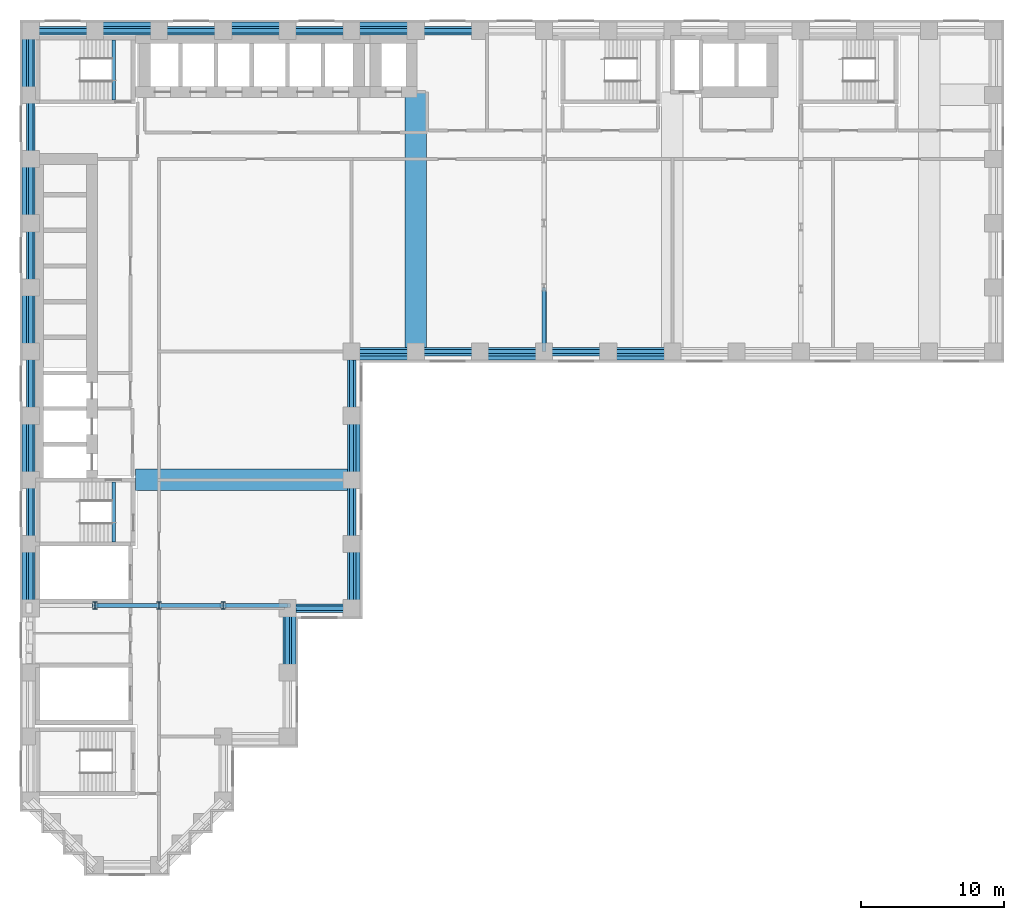
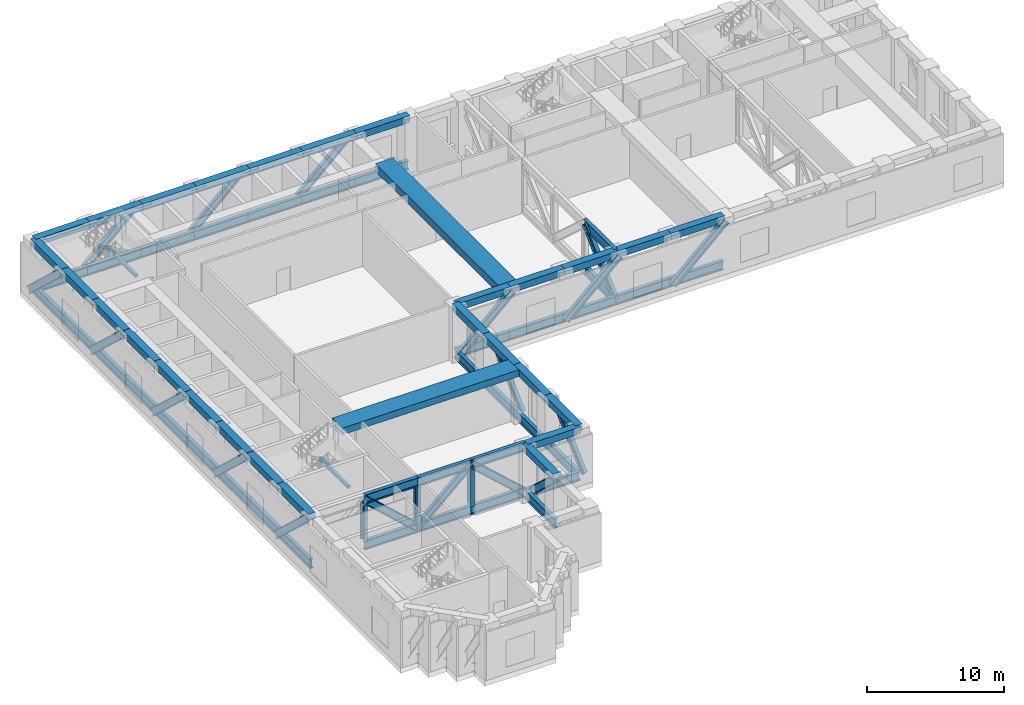
# One storey, part 2 of 13: 56 members, 31 beams.
"""IFC4 building model written with IfcOpenShell, lengths in metres."""

from ifc_helpers import new_model, si_unit, direction, frame, origin, origin_2d, place, context, subcontext, project, spatial, rectangle, i_section, extrude, material, material_profile, profile_set, type_object, element, save


model = new_model("IFC4")

# Units and contexts
model_context = context("Model", 3, precision=1e-05, world=origin(), true_north=direction((0.0, 1.0)))
body_context = subcontext(model_context, "Body", "Model", "MODEL_VIEW")
ifc_project = project(units=[si_unit("LENGTHUNIT", "METRE"), si_unit("AREAUNIT", "SQUARE_METRE"), si_unit("VOLUMEUNIT", "CUBIC_METRE"), si_unit("PLANEANGLEUNIT", "RADIAN"), si_unit("MASSUNIT", "GRAM", prefix="KILO")], contexts=[model_context])

# Site, building, storey
site_placement = place(None, origin())
site = spatial("IfcSite", under=ifc_project, at=site_placement, CompositionType="ELEMENT")
building_placement = place(site_placement, origin())
building = spatial("IfcBuilding", under=site, at=building_placement, Name="Firuza Court", CompositionType="ELEMENT")
storey_placement = place(building_placement, frame((0.0, 0.0, 108.199951171875)))
storey = spatial("IfcBuildingStorey", under=building, at=storey_placement, Name="L27", CompositionType="ELEMENT", Elevation=108.199951171875)

# Beams
ifc_material_1 = material(Name="Concrete C40/50", Category="concrete")
ifc_material_profile_1 = material_profile(ifc_material_1, rectangle(XDim=1.5, YDim=0.60009765625, at=origin_2d()), Name="RC 1500x600")
ifc_profile_set_1 = profile_set([ifc_material_profile_1], Name="Concrete C40/50")
beam_type_1 = type_object("IfcBeamType", Name="Band beam RC 1500x600 C40/50", PredefinedType="BEAM", material=ifc_profile_set_1)
beam_1_placement = place(storey_placement, frame((22.5, 27.0, 4.60009765625), z_axis=(-1.0, 0.0, 0.0), x_axis=(0.0, -1.0, 0.0)))
element("IfcBeam", 1, at=beam_1_placement, inside=storey, type_object=beam_type_1, Name="Band beam FB3 level L28", PredefinedType="BEAM", context=body_context, shape_type="SweptSolid", body=[
    extrude(rectangle(XDim=1.5, YDim=0.60009765625, at=origin_2d()), origin(), (0.0, 0.0, 1.0), 15.14990234375),
])
ifc_material_2 = material(Name="Concrete C40/50", Category="concrete")
ifc_material_profile_2 = material_profile(ifc_material_2, rectangle(XDim=1.5, YDim=0.699951171875, at=origin_2d()), Name="RC 1500x700")
ifc_profile_set_2 = profile_set([ifc_material_profile_2], Name="Concrete C40/50")
beam_type_2 = type_object("IfcBeamType", Name="Band beam RC 1500x700 C40/50", PredefinedType="BEAM", material=ifc_profile_set_2)
beam_2_placement = place(storey_placement, frame((27.0, 36.0, 4.550048828125), z_axis=(0.0, 1.0, 0.0), x_axis=(-1.0, 0.0, 0.0)))
element("IfcBeam", 2, at=beam_2_placement, inside=storey, type_object=beam_type_2, Name="Band beam FB1 level L28", PredefinedType="BEAM", context=body_context, shape_type="SweptSolid", body=[
    extrude(rectangle(XDim=1.5, YDim=0.699951171875, at=origin_2d()), origin(), (0.0, 0.0, 1.0), 18.199951171875),
])

# Members
ifc_material_3 = material(Name="Steel S460M", Category="steel")
ifc_material_profile_3 = material_profile(ifc_material_3, i_section(OverallWidth=0.302978515625, OverallDepth=0.81396484375, WebThickness=0.02099609375, FlangeThickness=0.0400390625, FilletRadius=0.030029296875, at=origin_2d()), Name="HE 800 M")
ifc_profile_set_3 = profile_set([ifc_material_profile_3], Name="Steel S460M")
member_type_1 = type_object("IfcMemberType", Name="Belt truss chord HE 800 M S460M", PredefinedType="CHORD", material=ifc_profile_set_3)
for number, where, z_axis, x_axis, name in (
    (3, (18.0, 13.5, 0.406982421875), (0.0, 1.0, 0.0), (-1.0, 0.0, 0.0), "Belt truss chord BC1 L27"),
    (4, (18.0, 18.0, 0.406982421875), (1.0, 0.0, 0.0), (0.0, 1.0, 0.0), "Belt truss chord BC1 L27"),
    (5, (22.5, 18.0, 0.406982421875), (0.0, 1.0, 0.0), (-1.0, 0.0, 0.0), "Belt truss chord BC1 L27"),
    (6, (22.5, 22.5, 0.406982421875), (0.0, 1.0, 0.0), (-1.0, 0.0, 0.0), "Belt truss chord BC1 L27"),
    (7, (22.5, 27.0, 0.406982421875), (0.0, 1.0, 0.0), (-1.0, 0.0, 0.0), "Belt truss chord BC1 L27"),
    (8, (22.5, 31.5, 0.406982421875), (0.0, 1.0, 0.0), (-1.0, 0.0, 0.0), "Belt truss chord BC1 L27"),
    (9, (22.5, 36.0, 0.406982421875), (1.0, 0.0, 0.0), (0.0, 1.0, 0.0), "Belt truss chord BC1 L27"),
    (10, (27.0, 36.0, 0.406982421875), (1.0, 0.0, 0.0), (0.0, 1.0, 0.0), "Belt truss chord BC1 L27"),
    (11, (31.5, 36.0, 0.406982421875), (1.0, 0.0, 0.0), (0.0, 1.0, 0.0), "Belt truss chord BC1 L27"),
    (12, (36.0, 36.0, 0.406982421875), (1.0, 0.0, 0.0), (0.0, 1.0, 0.0), "Belt truss chord BC1 L27"),
    (13, (40.5, 36.0, 0.406982421875), (1.0, 0.0, 0.0), (0.0, 1.0, 0.0), "Belt truss chord BC1 L27"),
    (14, (31.5, 58.5, 0.406982421875), (-1.0, 0.0, 0.0), (0.0, -1.0, 0.0), "Belt truss chord BC1 L27"),
    (15, (27.0, 58.5, 0.406982421875), (-1.0, 0.0, 0.0), (0.0, -1.0, 0.0), "Belt truss chord BC1 L27"),
    (16, (22.5, 58.5, 0.406982421875), (-1.0, 0.0, 0.0), (0.0, -1.0, 0.0), "Belt truss chord BC1 L27"),
    (17, (18.0, 58.5, 0.406982421875), (-1.0, 0.0, 0.0), (0.0, -1.0, 0.0), "Belt truss chord BC1 L27"),
    (18, (13.5, 58.5, 0.406982421875), (-1.0, 0.0, 0.0), (0.0, -1.0, 0.0), "Belt truss chord BC1 L27"),
    (19, (9.0, 58.5, 0.406982421875), (-1.0, 0.0, 0.0), (0.0, -1.0, 0.0), "Belt truss chord BC1 L27"),
    (20, (4.5, 58.5, 0.406982421875), (-1.0, 0.0, 0.0), (0.0, -1.0, 0.0), "Belt truss chord BC1 L27"),
    (21, (0.0, 58.5, 0.406982421875), (0.0, -1.0, 0.0), (1.0, 0.0, 0.0), "Belt truss chord BC1 L27"),
    (22, (0.0, 54.0, 0.406982421875), (0.0, -1.0, 0.0), (1.0, 0.0, 0.0), "Belt truss chord BC1 L27"),
    (23, (0.0, 49.5, 0.406982421875), (0.0, -1.0, 0.0), (1.0, 0.0, 0.0), "Belt truss chord BC1 L27"),
    (24, (0.0, 45.0, 0.406982421875), (0.0, -1.0, 0.0), (1.0, 0.0, 0.0), "Belt truss chord BC1 L27"),
    (25, (0.0, 40.5, 0.406982421875), (0.0, -1.0, 0.0), (1.0, 0.0, 0.0), "Belt truss chord BC1 L27"),
    (26, (0.0, 36.0, 0.406982421875), (0.0, -1.0, 0.0), (1.0, 0.0, 0.0), "Belt truss chord BC1 L27"),
    (27, (0.0, 31.5, 0.406982421875), (0.0, -1.0, 0.0), (1.0, 0.0, 0.0), "Belt truss chord BC1 L27"),
    (28, (0.0, 27.0, 0.406982421875), (0.0, -1.0, 0.0), (1.0, 0.0, 0.0), "Belt truss chord BC1 L27"),
    (29, (0.0, 22.5, 0.406982421875), (0.0, -1.0, 0.0), (1.0, 0.0, 0.0), "Belt truss chord BC1 L27"),
    (30, (4.5, 18.198486328125, 0.406982421875), (1.0, 0.0, 0.0), (0.0, 1.0, 0.0), "Belt truss chord BC1 L27"),
    (31, (4.5, 18.198486328125, 4.4931640625), (1.0, 0.0, 0.0), (0.0, 1.0, 0.0), "Belt truss chord BC1 L27"),
    (32, (9.0, 18.198486328125, 0.406982421875), (1.0, 0.0, 0.0), (0.0, 1.0, 0.0), "Belt truss chord BC1 L27"),
    (33, (9.0, 18.198486328125, 4.4931640625), (1.0, 0.0, 0.0), (0.0, 1.0, 0.0), "Belt truss chord BC1 L27"),
    (34, (13.5, 18.198486328125, 0.406982421875), (1.0, 0.0, 0.0), (0.0, 1.0, 0.0), "Belt truss chord BC1 L27"),
    (35, (13.5, 18.198486328125, 4.4931640625), (1.0, 0.0, 0.0), (0.0, 1.0, 0.0), "Belt truss chord BC1 L27"),
    (36, (36.0, 36.0, 0.406982421875), (0.0, 1.0, 0.0), (-1.0, 0.0, 0.0), "Belt truss chord BC1 L27"),
    (37, (36.0, 36.0, 4.4931640625), (0.0, 1.0, 0.0), (-1.0, 0.0, 0.0), "Belt truss chord BC1 L27"),
):
    element("IfcMember", number, at=place(storey_placement, frame(where, z_axis=z_axis, x_axis=x_axis)), inside=storey, type_object=member_type_1, Name=name, PredefinedType="CHORD", context=body_context, shape_type="SweptSolid", body=[
        extrude(i_section(OverallWidth=0.302978515625, OverallDepth=0.81396484375, WebThickness=0.02099609375, FlangeThickness=0.0400390625, FilletRadius=0.030029296875, at=origin_2d()), origin(), (0.0, 0.0, 1.0), 4.5),
    ])
ifc_material_4 = material(Name="Steel S460M", Category="steel")
ifc_material_profile_4 = material_profile(ifc_material_4, i_section(OverallWidth=0.304931640625, OverallDepth=0.6201171875, WebThickness=0.02099609375, FlangeThickness=0.0400390625, FilletRadius=0.027099609375, at=origin_2d()), Name="HE 600 M")
ifc_profile_set_4 = profile_set([ifc_material_profile_4], Name="Steel S460M")
member_type_2 = type_object("IfcMemberType", Name="Belt truss diagonal HE 600 M S460M", PredefinedType="BRACE", material=ifc_profile_set_4)
for number, where, z_axis, x_axis, name in (
    (38, (18.449951171875, 18.0, 0.406982421875), (0.0, -0.731613359281, 0.681719804994), (1.0, 0.0, 0.0), "Belt truss diagonal BD1 L27"),
    (39, (22.949951171875, 18.0, 0.406982421875), (0.0, 0.731613359281, 0.681719804994), (-1.0, 0.0, 0.0), "Belt truss diagonal BD1 L27"),
    (40, (22.949951171875, 27.0, 0.406982421875), (0.0, 0.731613359281, 0.681719804994), (-1.0, 0.0, 0.0), "Belt truss diagonal BD1 L27"),
    (41, (22.5, 35.550048828125, 0.406982421875), (0.731613359281, 0.0, 0.681719804994), (0.0, 1.0, 0.0), "Belt truss diagonal BD1 L27"),
    (42, (31.5, 35.550048828125, 0.406982421875), (0.731613359281, 0.0, 0.681719804994), (0.0, 1.0, 0.0), "Belt truss diagonal BD1 L27"),
    (43, (40.5, 35.550048828125, 0.406982421875), (0.731613359281, 0.0, 0.681719804994), (0.0, 1.0, 0.0), "Belt truss diagonal BD1 L27"),
    (44, (22.5, 58.949951171875, 0.406982421875), (0.731613359281, 0.0, 0.681719804994), (0.0, 1.0, 0.0), "Belt truss diagonal BD1 L27"),
    (45, (13.5, 58.949951171875, 0.406982421875), (0.731613359281, 0.0, 0.681719804994), (0.0, 1.0, 0.0), "Belt truss diagonal BD1 L27"),
    (46, (4.5, 58.949951171875, 0.406982421875), (0.731613359281, 0.0, 0.681719804994), (0.0, 1.0, 0.0), "Belt truss diagonal BD1 L27"),
    (47, (-0.449951171875, 58.5, 0.406982421875), (0.0, -0.731613359281, 0.681719804994), (1.0, 0.0, 0.0), "Belt truss diagonal BD1 L27"),
    (48, (-0.449951171875, 49.5, 0.406982421875), (0.0, -0.731613359281, 0.681719804994), (1.0, 0.0, 0.0), "Belt truss diagonal BD1 L27"),
    (49, (-0.449951171875, 40.5, 0.406982421875), (0.0, -0.731613359281, 0.681719804994), (1.0, 0.0, 0.0), "Belt truss diagonal BD1 L27"),
    (50, (-0.449951171875, 31.5, 0.406982421875), (0.0, -0.731613359281, 0.681719804994), (1.0, 0.0, 0.0), "Belt truss diagonal BD1 L27"),
    (51, (-0.449951171875, 22.5, 0.406982421875), (0.0, -0.731613359281, 0.681719804994), (1.0, 0.0, 0.0), "Belt truss diagonal BD1 L27"),
):
    element("IfcMember", number, at=place(storey_placement, frame(where, z_axis=z_axis, x_axis=x_axis)), inside=storey, type_object=member_type_2, Name=name, PredefinedType="BRACE", context=body_context, shape_type="SweptSolid", body=[
        extrude(i_section(OverallWidth=0.304931640625, OverallDepth=0.6201171875, WebThickness=0.02099609375, FlangeThickness=0.0400390625, FilletRadius=0.027099609375, at=origin_2d()), origin(), (0.0, 0.0, 1.0), 6.15087890625),
    ])
for number, where, z_axis, x_axis, name in (
    (52, (9.0, 18.198486328125, 0.406982421875), (-0.740327064526, 0.0, 0.672246857583), (0.0, -1.0, 0.0), "Belt truss diagonal BD1 L27"),
    (53, (9.0, 18.198486328125, 0.406982421875), (0.740327064526, 0.0, 0.672246857583), (0.0, 1.0, 0.0), "Belt truss diagonal BD1 L27"),
    (54, (18.0, 18.198486328125, 0.406982421875), (-0.740327064526, 0.0, 0.672246857583), (0.0, -1.0, 0.0), "Belt truss diagonal BD1 L27"),
    (55, (36.0, 36.0, 0.406982421875), (0.0, 0.740327064526, 0.672246857583), (-1.0, 0.0, 0.0), "Belt truss diagonal BD1 L27"),
):
    element("IfcMember", number, at=place(storey_placement, frame(where, z_axis=z_axis, x_axis=x_axis)), inside=storey, type_object=member_type_2, Name=name, PredefinedType="BRACE", context=body_context, shape_type="SweptSolid", body=[
        extrude(i_section(OverallWidth=0.304931640625, OverallDepth=0.6201171875, WebThickness=0.02099609375, FlangeThickness=0.0400390625, FilletRadius=0.027099609375, at=origin_2d()), origin(), (0.0, 0.0, 1.0), 6.078369140625),
    ])
ifc_material_5 = material(Name="Steel S460M", Category="steel")
ifc_material_profile_5 = material_profile(ifc_material_5, i_section(OverallWidth=0.305908203125, OverallDepth=0.52392578125, WebThickness=0.02099609375, FlangeThickness=0.0400390625, FilletRadius=0.027099609375, at=origin_2d()), Name="HE 500 M")
ifc_profile_set_5 = profile_set([ifc_material_profile_5], Name="Steel S460M")
member_type_3 = type_object("IfcMemberType", Name="Belt truss post HE 500 M S460M", PredefinedType="POST", material=ifc_profile_set_5)
for number, where, z_axis, x_axis, name in (
    (56, (4.5, 18.198486328125, 0.81396484375), (0.0, 0.0, 1.0), (1.0, 0.0, 0.0), "Belt truss post BP1 L27"),
    (57, (9.0, 18.198486328125, 0.81396484375), (0.0, 0.0, 1.0), (1.0, 0.0, 0.0), "Belt truss post BP1 L27"),
    (58, (13.5, 18.198486328125, 0.81396484375), (0.0, 0.0, 1.0), (1.0, 0.0, 0.0), "Belt truss post BP1 L27"),
):
    element("IfcMember", number, at=place(storey_placement, frame(where, z_axis=z_axis, x_axis=x_axis)), inside=storey, type_object=member_type_3, Name=name, PredefinedType="POST", context=body_context, shape_type="SweptSolid", body=[
        extrude(i_section(OverallWidth=0.305908203125, OverallDepth=0.52392578125, WebThickness=0.02099609375, FlangeThickness=0.0400390625, FilletRadius=0.027099609375, at=origin_2d()), origin(), (0.0, 0.0, 1.0), 3.27197265625),
    ])

# Beams
ifc_material_6 = material(Name="Concrete C40/50", Category="concrete")
ifc_material_profile_6 = material_profile(ifc_material_6, rectangle(XDim=0.25, YDim=0.25, at=origin_2d()), Name="RC 250x250")
ifc_profile_set_6 = profile_set([ifc_material_profile_6], Name="Concrete C40/50")
beam_type_3 = type_object("IfcBeamType", Name="Landing beam RC 250x250 C40/50", PredefinedType="BEAM", material=ifc_profile_set_6)
for number, where, z_axis, x_axis, name in (
    (59, (5.824951171875, 22.64990234375, 2.375), (0.0, 1.0, 0.0), (-1.0, 0.0, 0.0), "Landing beam S2 L27"),
    (60, (5.824951171875, 53.64990234375, 2.375), (0.0, 1.0, 0.0), (-1.0, 0.0, 0.0), "Landing beam S3 L27"),
):
    element("IfcBeam", number, at=place(storey_placement, frame(where, z_axis=z_axis, x_axis=x_axis)), inside=storey, type_object=beam_type_3, Name=name, PredefinedType="BEAM", context=body_context, shape_type="SweptSolid", body=[
        extrude(rectangle(XDim=0.25, YDim=0.25, at=origin_2d()), origin(), (0.0, 0.0, 1.0), 4.2001953125),
    ])
ifc_material_7 = material(Name="Concrete C40/50", Category="concrete")
ifc_material_profile_7 = material_profile(ifc_material_7, rectangle(XDim=0.60009765625, YDim=0.60009765625, at=origin_2d()), Name="RC 600x600")
ifc_profile_set_7 = profile_set([ifc_material_profile_7], Name="Concrete C40/50")
beam_type_4 = type_object("IfcBeamType", Name="Spandrel beam RC 600x600 C40/50", PredefinedType="BEAM", material=ifc_profile_set_7)
for number, where, z_axis, x_axis, name in (
    (61, (0.0, 22.5, 4.60009765625), (0.0, -1.0, 0.0), (1.0, 0.0, 0.0), "Spandrel beam SP11 level L28"),
    (62, (0.0, 27.0, 4.60009765625), (0.0, -1.0, 0.0), (1.0, 0.0, 0.0), "Spandrel beam SP11 level L28"),
    (63, (0.0, 31.5, 4.60009765625), (0.0, -1.0, 0.0), (1.0, 0.0, 0.0), "Spandrel beam SP11 level L28"),
    (64, (0.0, 36.0, 4.60009765625), (0.0, -1.0, 0.0), (1.0, 0.0, 0.0), "Spandrel beam SP11 level L28"),
    (65, (0.0, 40.5, 4.60009765625), (0.0, -1.0, 0.0), (1.0, 0.0, 0.0), "Spandrel beam SP11 level L28"),
    (66, (0.0, 45.0, 4.60009765625), (0.0, -1.0, 0.0), (1.0, 0.0, 0.0), "Spandrel beam SP11 level L28"),
    (67, (0.0, 49.5, 4.60009765625), (0.0, -1.0, 0.0), (1.0, 0.0, 0.0), "Spandrel beam SP11 level L28"),
    (68, (0.0, 54.0, 4.60009765625), (0.0, -1.0, 0.0), (1.0, 0.0, 0.0), "Spandrel beam SP11 level L28"),
    (69, (0.0, 58.5, 4.60009765625), (0.0, -1.0, 0.0), (1.0, 0.0, 0.0), "Spandrel beam SP11 level L28"),
    (70, (4.5, 58.5, 4.60009765625), (-1.0, 0.0, 0.0), (0.0, -1.0, 0.0), "Spandrel beam SP11 level L28"),
    (71, (9.0, 58.5, 4.60009765625), (-1.0, 0.0, 0.0), (0.0, -1.0, 0.0), "Spandrel beam SP11 level L28"),
    (72, (13.5, 58.5, 4.60009765625), (-1.0, 0.0, 0.0), (0.0, -1.0, 0.0), "Spandrel beam SP11 level L28"),
    (73, (18.0, 13.5, 4.60009765625), (0.0, 1.0, 0.0), (-1.0, 0.0, 0.0), "Spandrel beam SP11 level L28"),
    (74, (18.0, 18.0, 4.60009765625), (1.0, 0.0, 0.0), (0.0, 1.0, 0.0), "Spandrel beam SP11 level L28"),
    (75, (18.0, 58.5, 4.60009765625), (-1.0, 0.0, 0.0), (0.0, -1.0, 0.0), "Spandrel beam SP11 level L28"),
    (76, (22.5, 18.0, 4.60009765625), (0.0, 1.0, 0.0), (-1.0, 0.0, 0.0), "Spandrel beam SP11 level L28"),
    (77, (22.5, 22.5, 4.60009765625), (0.0, 1.0, 0.0), (-1.0, 0.0, 0.0), "Spandrel beam SP11 level L28"),
    (78, (22.5, 27.0, 4.60009765625), (0.0, 1.0, 0.0), (-1.0, 0.0, 0.0), "Spandrel beam SP11 level L28"),
    (79, (22.5, 31.5, 4.60009765625), (0.0, 1.0, 0.0), (-1.0, 0.0, 0.0), "Spandrel beam SP11 level L28"),
    (80, (22.5, 36.0, 4.60009765625), (1.0, 0.0, 0.0), (0.0, 1.0, 0.0), "Spandrel beam SP11 level L28"),
    (81, (22.5, 58.5, 4.60009765625), (-1.0, 0.0, 0.0), (0.0, -1.0, 0.0), "Spandrel beam SP11 level L28"),
    (82, (27.0, 36.0, 4.60009765625), (1.0, 0.0, 0.0), (0.0, 1.0, 0.0), "Spandrel beam SP11 level L28"),
    (83, (27.0, 58.5, 4.60009765625), (-1.0, 0.0, 0.0), (0.0, -1.0, 0.0), "Spandrel beam SP11 level L28"),
    (84, (31.5, 36.0, 4.60009765625), (1.0, 0.0, 0.0), (0.0, 1.0, 0.0), "Spandrel beam SP11 level L28"),
    (85, (31.5, 58.5, 4.60009765625), (-1.0, 0.0, 0.0), (0.0, -1.0, 0.0), "Spandrel beam SP11 level L28"),
    (86, (36.0, 36.0, 4.60009765625), (1.0, 0.0, 0.0), (0.0, 1.0, 0.0), "Spandrel beam SP11 level L28"),
    (87, (40.5, 36.0, 4.60009765625), (1.0, 0.0, 0.0), (0.0, 1.0, 0.0), "Spandrel beam SP11 level L28"),
):
    element("IfcBeam", number, at=place(storey_placement, frame(where, z_axis=z_axis, x_axis=x_axis)), inside=storey, type_object=beam_type_4, Name=name, PredefinedType="BEAM", context=body_context, shape_type="SweptSolid", body=[
        extrude(rectangle(XDim=0.60009765625, YDim=0.60009765625, at=origin_2d()), origin(), (0.0, 0.0, 1.0), 4.5),
    ])

save(model, "model.ifc")
